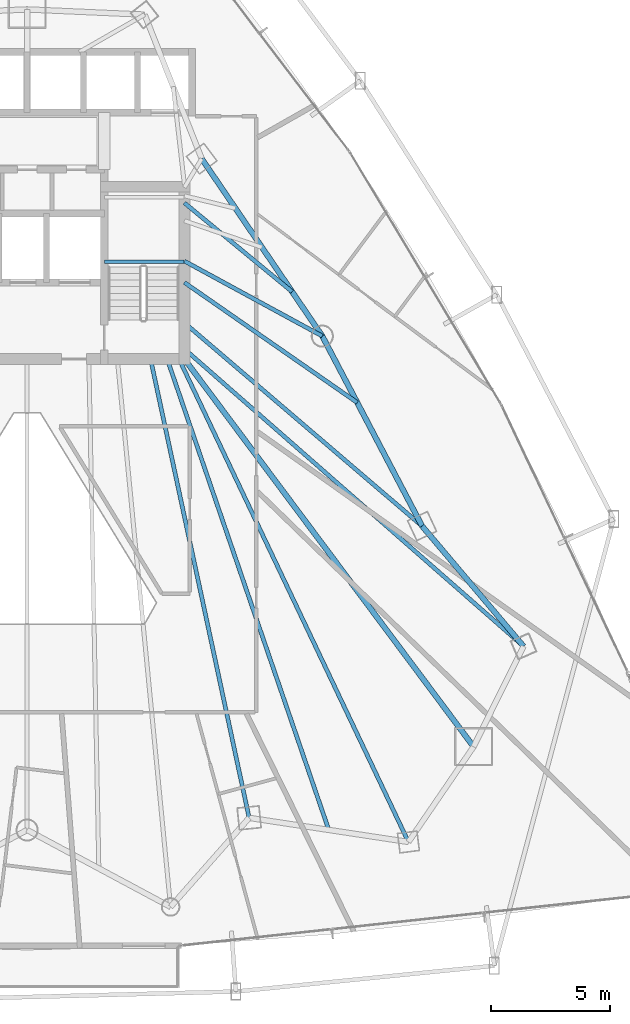
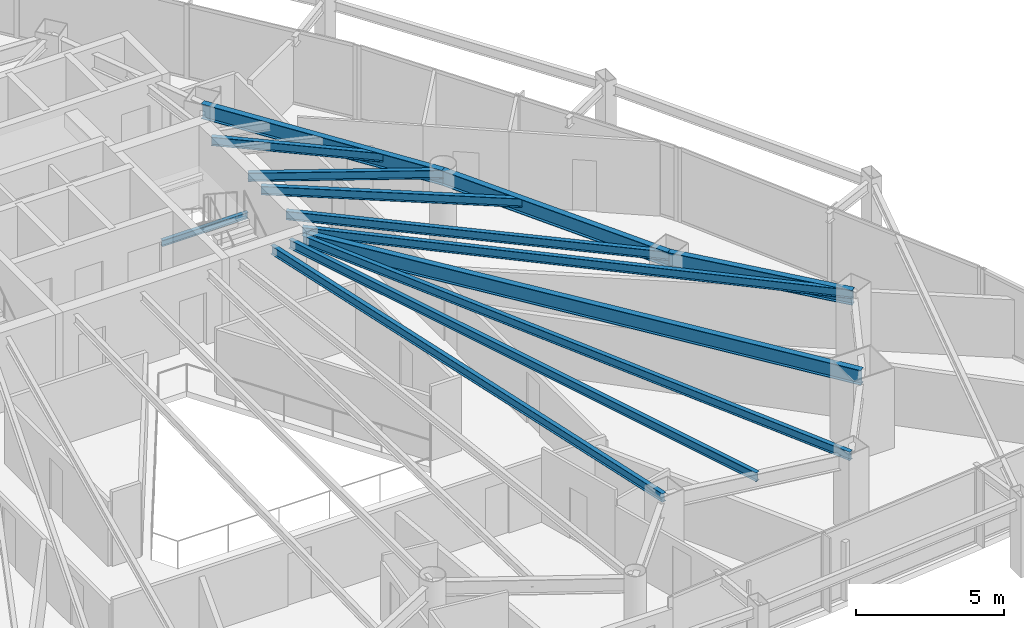
# One storey, part 17 of 34: 13 beams.
"""IFC4 building model written with IfcOpenShell, lengths in metres."""

from ifc_helpers import new_model, si_unit, direction, frame, origin, origin_2d, place, context, subcontext, project, spatial, i_section, extrude, material, material_profile, profile_set, type_object, element, save


model = new_model("IFC4")

# Units and contexts
model_context = context("Model", 3, precision=1e-05, world=origin(), true_north=direction((0.0, 1.0)))
body_context = subcontext(model_context, "Body", "Model", "MODEL_VIEW")
ifc_project = project(units=[si_unit("LENGTHUNIT", "METRE"), si_unit("AREAUNIT", "SQUARE_METRE"), si_unit("VOLUMEUNIT", "CUBIC_METRE"), si_unit("PLANEANGLEUNIT", "RADIAN"), si_unit("MASSUNIT", "GRAM", prefix="KILO")], contexts=[model_context])

# Site, building, storey
site_placement = place(None, origin())
site = spatial("IfcSite", under=ifc_project, at=site_placement, CompositionType="ELEMENT")
building_placement = place(site_placement, origin())
building = spatial("IfcBuilding", under=site, at=building_placement, Name="Orvanel Arch Residences", CompositionType="ELEMENT")
storey_placement = place(building_placement, frame((0.0, 0.0, 67.550048828125)))
storey = spatial("IfcBuildingStorey", under=building, at=storey_placement, Name="L18", CompositionType="ELEMENT", Elevation=67.550048828125)

# Beams
ifc_material = material(Name="Structural steel AS/NZS 3679.1 Grade 300 (300 MPa)", Category="steel")
ifc_material_profile_1 = material_profile(ifc_material, i_section(OverallWidth=0.22900390625, OverallDepth=0.612060546875, WebThickness=0.011962890625, FlangeThickness=0.01953125, at=origin_2d()), Name="610UB125")
ifc_profile_set_1 = profile_set([ifc_material_profile_1], Name="Structural steel AS/NZS 3679.1 Grade 300 (300 MPa)")
beam_type_1 = type_object("IfcBeamType", Name="BG-610UB", PredefinedType="BEAM", material=ifc_profile_set_1)
beam_1_placement = place(storey_placement, frame((39.625, 26.675048828125, 2.75390625), z_axis=(0.597893733742, -0.801575375839, 0.0), x_axis=(0.801575375839, 0.597893733742, 0.0)))
element("IfcBeam", 1, at=beam_1_placement, inside=storey, type_object=beam_type_1, Name="L18 South-East Radial Girder", PredefinedType="BEAM", context=body_context, shape_type="SweptSolid", body=[
    extrude(i_section(OverallWidth=0.22900390625, OverallDepth=0.612060546875, WebThickness=0.011962890625, FlangeThickness=0.01953125, at=origin_2d()), origin(), (0.0, 0.0, 1.0), 20.36474609375),
])
ifc_material_profile_2 = material_profile(ifc_material, i_section(OverallWidth=0.14599609375, OverallDepth=0.251953125, WebThickness=0.006103515625, FlangeThickness=0.008544921875, at=origin_2d()), Name="250UB31.4")
ifc_profile_set_2 = profile_set([ifc_material_profile_2], Name="Structural steel AS/NZS 3679.1 Grade 300 (300 MPa)")
beam_type_2 = type_object("IfcBeamType", Name="BJ-250UB", PredefinedType="JOIST", material=ifc_profile_set_2)
beam_2_placement = place(storey_placement, frame((36.25, 30.780029296875, 1.323974609375), z_axis=(1.0, 0.0, 0.0), x_axis=(0.0, 1.0, 0.0)))
element("IfcBeam", 2, at=beam_2_placement, inside=storey, type_object=beam_type_2, Name="L18 ST-2 Half-Landing Support Beam 1.1", PredefinedType="JOIST", context=body_context, shape_type="SweptSolid", body=[
    extrude(i_section(OverallWidth=0.14599609375, OverallDepth=0.251953125, WebThickness=0.006103515625, FlangeThickness=0.008544921875, at=origin_2d()), origin(), (0.0, 0.0, 1.0), 3.35009765625),
])
ifc_material_profile_3 = material_profile(ifc_material, i_section(OverallWidth=0.1708984375, OverallDepth=0.35595703125, WebThickness=0.00732421875, FlangeThickness=0.011474609375, at=origin_2d()), Name="360UB50.7")
ifc_profile_set_3 = profile_set([ifc_material_profile_3], Name="Structural steel AS/NZS 3679.1 Grade 300 (300 MPa)")
beam_type_3 = type_object("IfcBeamType", Name="BJ-360UB", PredefinedType="JOIST", material=ifc_profile_set_3)
beam_3_placement = place(storey_placement, frame((39.625, 30.800048828125, 2.8818359375), z_axis=(0.878399029914, -0.477927969726, 0.0), x_axis=(0.477927969726, 0.878399029914, 0.0)))
element("IfcBeam", 3, at=beam_3_placement, inside=storey, type_object=beam_type_3, Name="L18 NE Wing Floor Joist", PredefinedType="JOIST", context=body_context, shape_type="SweptSolid", body=[
    extrude(i_section(OverallWidth=0.1708984375, OverallDepth=0.35595703125, WebThickness=0.00732421875, FlangeThickness=0.011474609375, at=origin_2d()), origin(), (0.0, 0.0, 1.0), 6.609619140625),
])
beam_4_placement = place(storey_placement, frame((39.625, 28.199951171875, 2.8818359375), z_axis=(0.760024297953, -0.649894658018, 0.0), x_axis=(0.649894658018, 0.760024297953, 0.0)))
element("IfcBeam", 4, at=beam_4_placement, inside=storey, type_object=beam_type_3, Name="L18 E Wing Floor Joist", PredefinedType="JOIST", context=body_context, shape_type="SweptSolid", body=[
    extrude(i_section(OverallWidth=0.1708984375, OverallDepth=0.35595703125, WebThickness=0.00732421875, FlangeThickness=0.011474609375, at=origin_2d()), origin(), (0.0, 0.0, 1.0), 13.16796875),
])
beam_5_placement = place(storey_placement, frame((38.199951171875, 26.675048828125, 2.8818359375), z_axis=(0.210066515515, -0.977687096703, 0.0), x_axis=(0.977687096703, 0.210066515515, 0.0)))
element("IfcBeam", 5, at=beam_5_placement, inside=storey, type_object=beam_type_3, Name="L18 SE Wing Floor Joist", PredefinedType="JOIST", context=body_context, shape_type="SweptSolid", body=[
    extrude(i_section(OverallWidth=0.1708984375, OverallDepth=0.35595703125, WebThickness=0.00732421875, FlangeThickness=0.011474609375, at=origin_2d()), origin(), (0.0, 0.0, 1.0), 19.760986328125),
])
beam_6_placement = place(storey_placement, frame((39.625, 27.10009765625, 2.8818359375), z_axis=(0.751924114057, -0.659249669472, 0.0), x_axis=(0.659249669472, 0.751924114057, 0.0)))
element("IfcBeam", 6, at=beam_6_placement, inside=storey, type_object=beam_type_3, Name="L18 ME Wing Floor Joist", PredefinedType="JOIST", context=body_context, shape_type="SweptSolid", body=[
    extrude(i_section(OverallWidth=0.1708984375, OverallDepth=0.35595703125, WebThickness=0.00732421875, FlangeThickness=0.011474609375, at=origin_2d()), origin(), (0.0, 0.0, 1.0), 18.9912109375),
])
beam_7_placement = place(storey_placement, frame((39.39990234375, 26.675048828125, 2.8818359375), z_axis=(0.429042657795, -0.903284228686, 0.0), x_axis=(0.903284228686, 0.429042657795, 0.0)))
element("IfcBeam", 7, at=beam_7_placement, inside=storey, type_object=beam_type_3, Name="L18 MSE Wing Floor Joist", PredefinedType="JOIST", context=body_context, shape_type="SweptSolid", body=[
    extrude(i_section(OverallWidth=0.1708984375, OverallDepth=0.35595703125, WebThickness=0.00732421875, FlangeThickness=0.011474609375, at=origin_2d()), origin(), (0.0, 0.0, 1.0), 22.513427734375),
])
beam_8_placement = place(storey_placement, frame((39.625, 33.25, 2.8818359375), z_axis=(0.771468562814, -0.636267441089, 0.0), x_axis=(0.636267441089, 0.771468562814, 0.0)))
element("IfcBeam", 8, at=beam_8_placement, inside=storey, type_object=beam_type_3, Name="L18 LE Wing Floor Joist", PredefinedType="JOIST", context=body_context, shape_type="SweptSolid", body=[
    extrude(i_section(OverallWidth=0.1708984375, OverallDepth=0.35595703125, WebThickness=0.00732421875, FlangeThickness=0.011474609375, at=origin_2d()), origin(), (0.0, 0.0, 1.0), 5.879638671875),
])
beam_9_placement = place(storey_placement, frame((39.625, 29.89990234375, 2.8818359375), z_axis=(0.821089880853, -0.570798920427, 0.0), x_axis=(0.570798920427, 0.821089880853, 0.0)))
element("IfcBeam", 9, at=beam_9_placement, inside=storey, type_object=beam_type_3, Name="L18 CTE Wing Floor Joist", PredefinedType="JOIST", context=body_context, shape_type="SweptSolid", body=[
    extrude(i_section(OverallWidth=0.1708984375, OverallDepth=0.35595703125, WebThickness=0.00732421875, FlangeThickness=0.011474609375, at=origin_2d()), origin(), (0.0, 0.0, 1.0), 8.86279296875),
])
beam_10_placement = place(storey_placement, frame((38.89990234375, 26.675048828125, 2.8818359375), z_axis=(0.324621456495, -0.945844019901, 0.0), x_axis=(0.945844019901, 0.324621456495, 0.0)))
element("IfcBeam", 10, at=beam_10_placement, inside=storey, type_object=beam_type_3, Name="L18 JADD2 Wing Floor Joist", PredefinedType="JOIST", context=body_context, shape_type="SweptSolid", body=[
    extrude(i_section(OverallWidth=0.1708984375, OverallDepth=0.35595703125, WebThickness=0.00732421875, FlangeThickness=0.011474609375, at=origin_2d()), origin(), (0.0, 0.0, 1.0), 20.96337890625),
])
ifc_material_profile_4 = material_profile(ifc_material, i_section(OverallWidth=0.22900390625, OverallDepth=0.612060546875, WebThickness=0.011962890625, FlangeThickness=0.01953125, at=origin_2d()), Name="610UB125")
ifc_profile_set_4 = profile_set([ifc_material_profile_4], Name="Structural steel AS/NZS 3679.1 Grade 300 (300 MPa)")
beam_type_4 = type_object("IfcBeamType", Name="SP-610UB", PredefinedType="SPANDREL", material=ifc_profile_set_4)
beam_11_placement = place(storey_placement, frame((53.905029296875, 14.580078125, 2.75390625), z_axis=(-0.644950329775, 0.764224490659, 0.0), x_axis=(-0.764224490659, -0.644950329775, 0.0)))
element("IfcBeam", 11, at=beam_11_placement, inside=storey, type_object=beam_type_4, Name="L18 Perimeter Spandrel Beam 12", PredefinedType="SPANDREL", context=body_context, shape_type="SweptSolid", body=[
    extrude(i_section(OverallWidth=0.22900390625, OverallDepth=0.612060546875, WebThickness=0.011962890625, FlangeThickness=0.01953125, at=origin_2d()), origin(), (0.0, 0.0, 1.0), 6.623779296875),
])
beam_12_placement = place(storey_placement, frame((49.633056640625, 19.64208984375, 2.75390625), z_axis=(-0.465064762793, 0.885276660942, 0.0), x_axis=(-0.885276660942, -0.465064762793, 0.0)))
element("IfcBeam", 12, at=beam_12_placement, inside=storey, type_object=beam_type_4, Name="L18 Perimeter Spandrel Beam 13", PredefinedType="SPANDREL", context=body_context, shape_type="SweptSolid", body=[
    extrude(i_section(OverallWidth=0.22900390625, OverallDepth=0.612060546875, WebThickness=0.011962890625, FlangeThickness=0.01953125, at=origin_2d()), origin(), (0.0, 0.0, 1.0), 9.03564453125),
])
beam_13_placement = place(storey_placement, frame((45.430908203125, 27.64111328125, 2.75390625), z_axis=(-0.562154793153, 0.827032035978, 0.0), x_axis=(-0.827032035978, -0.562154793153, 0.0)))
element("IfcBeam", 13, at=beam_13_placement, inside=storey, type_object=beam_type_4, Name="L18 Perimeter Spandrel Beam 14", PredefinedType="SPANDREL", context=body_context, shape_type="SweptSolid", body=[
    extrude(i_section(OverallWidth=0.22900390625, OverallDepth=0.612060546875, WebThickness=0.011962890625, FlangeThickness=0.01953125, at=origin_2d()), origin(), (0.0, 0.0, 1.0), 9.03466796875),
])

save(model, "model.ifc")
